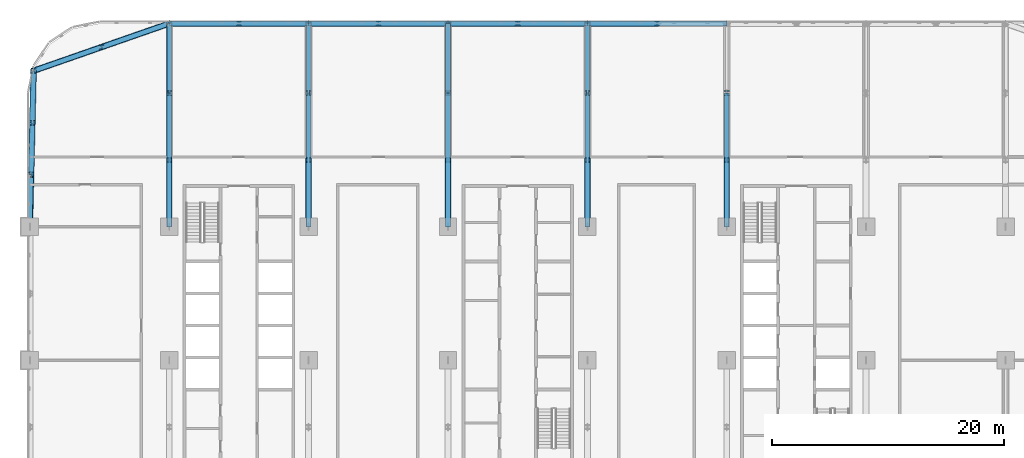
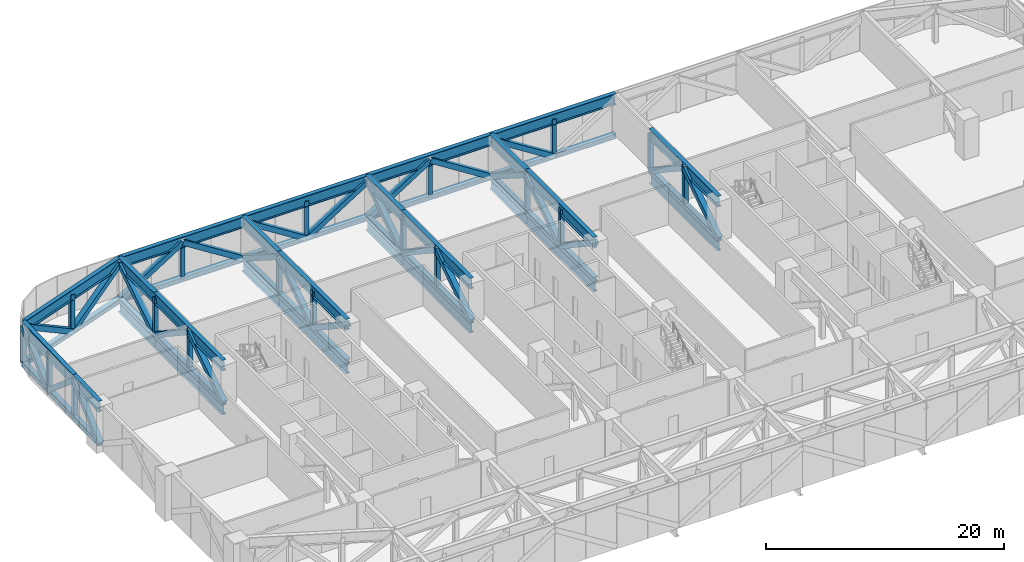
# One storey, part 6 of 26: 77 members, 9 beams.
"""IFC4 building model written with IfcOpenShell, lengths in metres."""

from ifc_helpers import new_model, si_unit, direction, frame, origin, origin_2d, place, context, subcontext, project, spatial, hollow_rectangle, i_section, extrude, material, material_profile, profile_set, type_object, element, save


model = new_model("IFC4")

# Units and contexts
model_context = context("Model", 3, precision=1e-05, world=origin(), true_north=direction((0.0, 1.0)))
body_context = subcontext(model_context, "Body", "Model", "MODEL_VIEW")
ifc_project = project(units=[si_unit("LENGTHUNIT", "METRE"), si_unit("AREAUNIT", "SQUARE_METRE"), si_unit("VOLUMEUNIT", "CUBIC_METRE"), si_unit("PLANEANGLEUNIT", "RADIAN"), si_unit("MASSUNIT", "GRAM", prefix="KILO")], contexts=[model_context])

# Site, building, storey
site_placement = place(None, origin())
site = spatial("IfcSite", under=ifc_project, at=site_placement, CompositionType="ELEMENT")
building_placement = place(site_placement, origin())
building = spatial("IfcBuilding", under=site, at=building_placement, Name="Mahtab Terrace Research Tower", CompositionType="ELEMENT")
storey_placement = place(building_placement, frame((0.0, 0.0, 80.39990234375)))
storey = spatial("IfcBuildingStorey", under=building, at=storey_placement, Name="L18", CompositionType="ELEMENT", Elevation=80.39990234375)

# Members
ifc_material_1 = material(Name="Steel ASTM A500 Gr C", Category="steel")
ifc_material_profile_1 = material_profile(ifc_material_1, hollow_rectangle(XDim=0.508056640625, YDim=0.508056640625, WallThickness=0.01904296875, at=origin_2d()), Name="HSS20X20X3/4")
ifc_profile_set_1 = profile_set([ifc_material_profile_1], Name="Steel ASTM A500 Gr C")
member_type_1 = type_object("IfcMemberType", Name="HSS 20x20x3/4 brace TD202034", PredefinedType="BRACE", material=ifc_profile_set_1)
member_1_placement = place(storey_placement, frame((-42.0, 11.5, -0.29345703125), z_axis=(0.018053445129, 0.76265406222, 0.646554602874), x_axis=(-0.999719939064, 0.023665236912, 0.0)))
element("IfcMember", 1, at=member_1_placement, inside=storey, type_object=member_type_1, Name="Transfer truss T2 diagonal 006", PredefinedType="BRACE", context=body_context, shape_type="SweptSolid", body=[
    extrude(hollow_rectangle(XDim=0.508056640625, YDim=0.508056640625, WallThickness=0.01904296875, at=origin_2d()), origin(), (0.0, 0.0, 1.0), 5.869140625),
])
member_2_placement = place(storey_placement, frame((-41.7880859375, 20.450927734375, -0.29345703125), z_axis=(-0.018056309124, -0.762567027489, 0.646657172146), x_axis=(0.999719786311, -0.023671688977, 0.0)))
element("IfcMember", 2, at=member_2_placement, inside=storey, type_object=member_type_1, Name="Transfer truss T2 diagonal 007", PredefinedType="BRACE", context=body_context, shape_type="SweptSolid", body=[
    extrude(hollow_rectangle(XDim=0.508056640625, YDim=0.508056640625, WallThickness=0.01904296875, at=origin_2d()), origin(), (0.0, 0.0, 1.0), 5.8681640625),
])
member_3_placement = place(storey_placement, frame((-41.7880859375, 20.450927734375, -0.29345703125), z_axis=(0.018095029325, 0.762653488821, 0.646554116763), x_axis=(-0.999718647519, 0.023719734464, 0.0)))
element("IfcMember", 3, at=member_3_placement, inside=storey, type_object=member_type_1, Name="Transfer truss T2 diagonal 008", PredefinedType="BRACE", context=body_context, shape_type="SweptSolid", body=[
    extrude(hollow_rectangle(XDim=0.508056640625, YDim=0.508056640625, WallThickness=0.01904296875, at=origin_2d()), origin(), (0.0, 0.0, 1.0), 5.869140625),
])
member_4_placement = place(storey_placement, frame((-35.841064453125, 26.962890625, -0.29345703125), z_axis=(-0.804887258521, -0.280553203846, 0.522921027386), x_axis=(0.329140559735, -0.944280939094, 0.0)))
element("IfcMember", 4, at=member_4_placement, inside=storey, type_object=member_type_1, Name="Transfer truss T2 diagonal 011", PredefinedType="BRACE", context=body_context, shape_type="SweptSolid", body=[
    extrude(hollow_rectangle(XDim=0.508056640625, YDim=0.508056640625, WallThickness=0.01904296875, at=origin_2d()), origin(), (0.0, 0.0, 1.0), 7.256591796875),
])
for number, where, z_axis, x_axis, name in (
    (5, (-30.0, 11.5, -0.29345703125), (0.0, 0.834630911502, 0.550809623704), (-1.0, 0.0, 0.0), "Transfer truss T2 diagonal 023"),
    (6, (-30.0, 23.0, -0.29345703125), (0.0, -0.834630911502, 0.550809623704), (1.0, 0.0, 0.0), "Transfer truss T2 diagonal 024"),
):
    element("IfcMember", number, at=place(storey_placement, frame(where, z_axis=z_axis, x_axis=x_axis)), inside=storey, type_object=member_type_1, Name=name, PredefinedType="BRACE", context=body_context, shape_type="SweptSolid", body=[
        extrude(hollow_rectangle(XDim=0.508056640625, YDim=0.508056640625, WallThickness=0.01904296875, at=origin_2d()), origin(), (0.0, 0.0, 1.0), 6.88916015625),
    ])
member_5_placement = place(storey_placement, frame((-30.0, 23.0, -0.29345703125), z_axis=(0.0, 0.845157783708, 0.534516903978), x_axis=(-1.0, 0.0, 0.0)))
element("IfcMember", 7, at=member_5_placement, inside=storey, type_object=member_type_1, Name="Transfer truss T2 diagonal 025", PredefinedType="BRACE", context=body_context, shape_type="SweptSolid", body=[
    extrude(hollow_rectangle(XDim=0.508056640625, YDim=0.508056640625, WallThickness=0.01904296875, at=origin_2d()), origin(), (0.0, 0.0, 1.0), 7.099365234375),
])
member_6_placement = place(storey_placement, frame((-35.841064453125, 26.962890625, -0.29345703125), z_axis=(0.804861112796, 0.280700569495, 0.522882185003), x_axis=(-0.329304241229, 0.944223870016, 0.0)))
element("IfcMember", 8, at=member_6_placement, inside=storey, type_object=member_type_1, Name="Transfer truss T2 diagonal 026", PredefinedType="BRACE", context=body_context, shape_type="SweptSolid", body=[
    extrude(hollow_rectangle(XDim=0.508056640625, YDim=0.508056640625, WallThickness=0.01904296875, at=origin_2d()), origin(), (0.0, 0.0, 1.0), 7.25732421875),
])
member_7_placement = place(storey_placement, frame((-30.0, 29.0, -0.29345703125), z_axis=(0.845157783708, 0.0, 0.534516903978), x_axis=(0.0, 1.0, 0.0)))
element("IfcMember", 9, at=member_7_placement, inside=storey, type_object=member_type_1, Name="Transfer truss T2 diagonal 030", PredefinedType="BRACE", context=body_context, shape_type="SweptSolid", body=[
    extrude(hollow_rectangle(XDim=0.508056640625, YDim=0.508056640625, WallThickness=0.01904296875, at=origin_2d()), origin(), (0.0, 0.0, 1.0), 7.099365234375),
])
for number, where, z_axis, x_axis, name in (
    (10, (-18.0, 17.25, -0.29345703125), (0.0, -0.834630911502, 0.550809623704), (1.0, 0.0, 0.0), "Transfer truss T2 diagonal 040"),
    (11, (-18.0, 17.25, -0.29345703125), (0.0, 0.834630911502, 0.550809623704), (-1.0, 0.0, 0.0), "Transfer truss T2 diagonal 041"),
):
    element("IfcMember", number, at=place(storey_placement, frame(where, z_axis=z_axis, x_axis=x_axis)), inside=storey, type_object=member_type_1, Name=name, PredefinedType="BRACE", context=body_context, shape_type="SweptSolid", body=[
        extrude(hollow_rectangle(XDim=0.508056640625, YDim=0.508056640625, WallThickness=0.01904296875, at=origin_2d()), origin(), (0.0, 0.0, 1.0), 6.88916015625),
    ])
for number, where, z_axis, x_axis, name in (
    (12, (-18.0, 29.0, -0.29345703125), (0.0, -0.845157783708, 0.534516903978), (1.0, 0.0, 0.0), "Transfer truss T2 diagonal 042"),
    (13, (-18.0, 29.0, -0.29345703125), (-0.845157783708, 0.0, 0.534516903978), (0.0, -1.0, 0.0), "Transfer truss T2 diagonal 043"),
    (14, (-12.0, 29.0, -0.29345703125), (-0.845157783708, 0.0, 0.534516903978), (0.0, -1.0, 0.0), "Transfer truss T2 diagonal 047"),
):
    element("IfcMember", number, at=place(storey_placement, frame(where, z_axis=z_axis, x_axis=x_axis)), inside=storey, type_object=member_type_1, Name=name, PredefinedType="BRACE", context=body_context, shape_type="SweptSolid", body=[
        extrude(hollow_rectangle(XDim=0.508056640625, YDim=0.508056640625, WallThickness=0.01904296875, at=origin_2d()), origin(), (0.0, 0.0, 1.0), 7.099365234375),
    ])
for number, where, z_axis, x_axis, name in (
    (15, (-6.0, 11.5, -0.29345703125), (0.0, 0.834630911502, 0.550809623704), (-1.0, 0.0, 0.0), "Transfer truss T2 diagonal 057"),
    (16, (-6.0, 23.0, -0.29345703125), (0.0, -0.834630911502, 0.550809623704), (1.0, 0.0, 0.0), "Transfer truss T2 diagonal 058"),
):
    element("IfcMember", number, at=place(storey_placement, frame(where, z_axis=z_axis, x_axis=x_axis)), inside=storey, type_object=member_type_1, Name=name, PredefinedType="BRACE", context=body_context, shape_type="SweptSolid", body=[
        extrude(hollow_rectangle(XDim=0.508056640625, YDim=0.508056640625, WallThickness=0.01904296875, at=origin_2d()), origin(), (0.0, 0.0, 1.0), 6.88916015625),
    ])
for number, where, z_axis, x_axis, name in (
    (17, (-6.0, 23.0, -0.29345703125), (0.0, 0.845157783708, 0.534516903978), (-1.0, 0.0, 0.0), "Transfer truss T2 diagonal 059"),
    (18, (-12.0, 29.0, -0.29345703125), (0.845157783708, 0.0, 0.534516903978), (0.0, 1.0, 0.0), "Transfer truss T2 diagonal 060"),
    (19, (-6.0, 29.0, -0.29345703125), (0.845157783708, 0.0, 0.534516903978), (0.0, 1.0, 0.0), "Transfer truss T2 diagonal 064"),
):
    element("IfcMember", number, at=place(storey_placement, frame(where, z_axis=z_axis, x_axis=x_axis)), inside=storey, type_object=member_type_1, Name=name, PredefinedType="BRACE", context=body_context, shape_type="SweptSolid", body=[
        extrude(hollow_rectangle(XDim=0.508056640625, YDim=0.508056640625, WallThickness=0.01904296875, at=origin_2d()), origin(), (0.0, 0.0, 1.0), 7.099365234375),
    ])
for number, where, z_axis, x_axis, name in (
    (20, (6.0, 17.25, -0.29345703125), (0.0, -0.834630911502, 0.550809623704), (1.0, 0.0, 0.0), "Transfer truss T2 diagonal 074"),
    (21, (6.0, 17.25, -0.29345703125), (0.0, 0.834630911502, 0.550809623704), (-1.0, 0.0, 0.0), "Transfer truss T2 diagonal 075"),
):
    element("IfcMember", number, at=place(storey_placement, frame(where, z_axis=z_axis, x_axis=x_axis)), inside=storey, type_object=member_type_1, Name=name, PredefinedType="BRACE", context=body_context, shape_type="SweptSolid", body=[
        extrude(hollow_rectangle(XDim=0.508056640625, YDim=0.508056640625, WallThickness=0.01904296875, at=origin_2d()), origin(), (0.0, 0.0, 1.0), 6.88916015625),
    ])
for number, where, z_axis, x_axis, name in (
    (22, (6.0, 29.0, -0.29345703125), (0.0, -0.845157783708, 0.534516903978), (1.0, 0.0, 0.0), "Transfer truss T2 diagonal 076"),
    (23, (6.0, 29.0, -0.29345703125), (-0.845157783708, 0.0, 0.534516903978), (0.0, -1.0, 0.0), "Transfer truss T2 diagonal 077"),
    (24, (12.0, 29.0, -0.29345703125), (-0.845157783708, 0.0, 0.534516903978), (0.0, -1.0, 0.0), "Transfer truss T2 diagonal 081"),
):
    element("IfcMember", number, at=place(storey_placement, frame(where, z_axis=z_axis, x_axis=x_axis)), inside=storey, type_object=member_type_1, Name=name, PredefinedType="BRACE", context=body_context, shape_type="SweptSolid", body=[
        extrude(hollow_rectangle(XDim=0.508056640625, YDim=0.508056640625, WallThickness=0.01904296875, at=origin_2d()), origin(), (0.0, 0.0, 1.0), 7.099365234375),
    ])
for number, where, z_axis, x_axis, name in (
    (25, (18.0, 11.5, -0.29345703125), (0.0, 0.834630911502, 0.550809623704), (-1.0, 0.0, 0.0), "Transfer truss T2 diagonal 091"),
    (26, (18.0, 23.0, -0.29345703125), (0.0, -0.834630911502, 0.550809623704), (1.0, 0.0, 0.0), "Transfer truss T2 diagonal 092"),
):
    element("IfcMember", number, at=place(storey_placement, frame(where, z_axis=z_axis, x_axis=x_axis)), inside=storey, type_object=member_type_1, Name=name, PredefinedType="BRACE", context=body_context, shape_type="SweptSolid", body=[
        extrude(hollow_rectangle(XDim=0.508056640625, YDim=0.508056640625, WallThickness=0.01904296875, at=origin_2d()), origin(), (0.0, 0.0, 1.0), 6.88916015625),
    ])
ifc_material_2 = material(Name="Steel ASTM A992 Gr 50", Category="steel")
ifc_material_profile_2 = material_profile(ifc_material_2, i_section(OverallWidth=0.398681640625, OverallDepth=0.393798828125, WebThickness=0.022705078125, FlangeThickness=0.03662109375, at=origin_2d()), Name="W14X193")
ifc_profile_set_2 = profile_set([ifc_material_profile_2], Name="Steel ASTM A992 Gr 50")
member_type_2 = type_object("IfcMemberType", Name="W14x193 post TP14193", PredefinedType="POST", material=ifc_profile_set_2)
for number, where, z_axis, x_axis, name in (
    (27, (-41.889892578125, 15.97998046875, -0.29345703125), (0.0, 0.0, 1.0), (1.0, 0.0, 0.0), "Transfer truss T2 post 006"),
    (28, (-41.7900390625, 20.449951171875, -0.29345703125), (0.0, 0.0, 1.0), (1.0, 0.0, 0.0), "Transfer truss T2 post 007"),
    (29, (-41.679931640625, 24.929931640625, -0.29345703125), (0.0, 0.0, 1.0), (1.0, 0.0, 0.0), "Transfer truss T2 post 008"),
    (30, (-35.840087890625, 26.9599609375, -0.29345703125), (0.0, 0.0, 1.0), (1.0, 0.0, 0.0), "Transfer truss T2 post 011"),
    (31, (-30.0, 17.25, -0.29345703125), (0.0, 0.0, 1.0), (1.0, 0.0, 0.0), "Transfer truss T2 post 022"),
    (32, (-30.0, 23.0, -0.29345703125), (0.0, 0.0, 1.0), (1.0, 0.0, 0.0), "Transfer truss T2 post 023"),
    (33, (-24.0, 29.0, -0.29345703125), (0.0, 0.0, 1.0), (1.0, 0.0, 0.0), "Transfer truss T2 post 028"),
    (34, (-18.0, 17.25, -0.29345703125), (0.0, 0.0, 1.0), (1.0, 0.0, 0.0), "Transfer truss T2 post 037"),
    (35, (-18.0, 23.0, -0.29345703125), (0.0, 0.0, 1.0), (1.0, 0.0, 0.0), "Transfer truss T2 post 038"),
    (36, (-12.0, 29.0, -0.29345703125), (0.0, 0.0, 1.0), (1.0, 0.0, 0.0), "Transfer truss T2 post 043"),
    (37, (-6.0, 17.25, -0.29345703125), (0.0, 0.0, 1.0), (1.0, 0.0, 0.0), "Transfer truss T2 post 052"),
    (38, (-6.0, 23.0, -0.29345703125), (0.0, 0.0, 1.0), (1.0, 0.0, 0.0), "Transfer truss T2 post 053"),
    (39, (0.0, 29.0, -0.29345703125), (0.0, 0.0, 1.0), (1.0, 0.0, 0.0), "Transfer truss T2 post 058"),
    (40, (6.0, 17.25, -0.29345703125), (0.0, 0.0, 1.0), (1.0, 0.0, 0.0), "Transfer truss T2 post 067"),
    (41, (6.0, 23.0, -0.29345703125), (0.0, 0.0, 1.0), (1.0, 0.0, 0.0), "Transfer truss T2 post 068"),
    (42, (12.0, 29.0, -0.29345703125), (0.0, 0.0, 1.0), (1.0, 0.0, 0.0), "Transfer truss T2 post 073"),
    (43, (18.0, 17.25, -0.29345703125), (0.0, 0.0, 1.0), (1.0, 0.0, 0.0), "Transfer truss T2 post 082"),
    (44, (18.0, 23.0, -0.29345703125), (0.0, 0.0, 1.0), (1.0, 0.0, 0.0), "Transfer truss T2 post 083"),
):
    element("IfcMember", number, at=place(storey_placement, frame(where, z_axis=z_axis, x_axis=x_axis)), inside=storey, type_object=member_type_2, Name=name, PredefinedType="POST", context=body_context, shape_type="SweptSolid", body=[
        extrude(i_section(OverallWidth=0.398681640625, OverallDepth=0.393798828125, WebThickness=0.022705078125, FlangeThickness=0.03662109375, at=origin_2d()), origin(), (0.0, 0.0, 1.0), 3.794677734375),
    ])
ifc_material_profile_3 = material_profile(ifc_material_2, i_section(OverallWidth=0.43701171875, OverallDepth=0.51318359375, WebThickness=0.060546875, FlangeThickness=0.096923828125, at=origin_2d()), Name="W14X550")
ifc_profile_set_3 = profile_set([ifc_material_profile_3], Name="Steel ASTM A992 Gr 50")
member_type_3 = type_object("IfcMemberType", Name="W14x550 chord TC14550", PredefinedType="CHORD", material=ifc_profile_set_3)
member_8_placement = place(storey_placement, frame((-41.681884765625, 24.927001953125, -0.29345703125), z_axis=(-0.023695715017, -0.999719217125, 0.0), x_axis=(0.999719217125, -0.023695715017, 0.0)))
element("IfcMember", 45, at=member_8_placement, inside=storey, type_object=member_type_3, Name="Transfer truss T2 bottom chord 003", PredefinedType="CHORD", context=body_context, shape_type="SweptSolid", body=[
    extrude(i_section(OverallWidth=0.43701171875, OverallDepth=0.51318359375, WebThickness=0.060546875, FlangeThickness=0.096923828125, at=origin_2d()), origin(), (0.0, 0.0, 1.0), 8.953369140625),
])
member_9_placement = place(storey_placement, frame((-41.89404296875, 15.97607421875, -0.29345703125), z_axis=(-0.023665236912, -0.999719939064, 0.0), x_axis=(0.999719939064, -0.023665236912, 0.0)))
element("IfcMember", 46, at=member_9_placement, inside=storey, type_object=member_type_3, Name="Transfer truss T2 bottom chord 004", PredefinedType="CHORD", context=body_context, shape_type="SweptSolid", body=[
    extrude(i_section(OverallWidth=0.43701171875, OverallDepth=0.51318359375, WebThickness=0.060546875, FlangeThickness=0.096923828125, at=origin_2d()), origin(), (0.0, 0.0, 1.0), 4.477294921875),
])
member_10_placement = place(storey_placement, frame((-30.0, 29.0, -0.29345703125), z_axis=(-0.944223870016, -0.329304241229, 0.0), x_axis=(0.329304241229, -0.944223870016, 0.0)))
element("IfcMember", 47, at=member_10_placement, inside=storey, type_object=member_type_3, Name="Transfer truss T2 bottom chord 007", PredefinedType="CHORD", context=body_context, shape_type="SweptSolid", body=[
    extrude(i_section(OverallWidth=0.43701171875, OverallDepth=0.51318359375, WebThickness=0.060546875, FlangeThickness=0.096923828125, at=origin_2d()), origin(), (0.0, 0.0, 1.0), 6.18603515625),
])
member_11_placement = place(storey_placement, frame((-35.841064453125, 26.962890625, -0.29345703125), z_axis=(-0.944280939094, -0.329140559735, 0.0), x_axis=(0.329140559735, -0.944280939094, 0.0)))
element("IfcMember", 48, at=member_11_placement, inside=storey, type_object=member_type_3, Name="Transfer truss T2 bottom chord 008", PredefinedType="CHORD", context=body_context, shape_type="SweptSolid", body=[
    extrude(i_section(OverallWidth=0.43701171875, OverallDepth=0.51318359375, WebThickness=0.060546875, FlangeThickness=0.096923828125, at=origin_2d()), origin(), (0.0, 0.0, 1.0), 6.185546875),
])
member_12_placement = place(storey_placement, frame((-30.0, 11.5, -0.29345703125), z_axis=(0.0, 1.0, 0.0), x_axis=(-1.0, 0.0, 0.0)))
element("IfcMember", 49, at=member_12_placement, inside=storey, type_object=member_type_3, Name="Transfer truss T2 bottom chord 033", PredefinedType="CHORD", context=body_context, shape_type="SweptSolid", body=[
    extrude(i_section(OverallWidth=0.43701171875, OverallDepth=0.51318359375, WebThickness=0.060546875, FlangeThickness=0.096923828125, at=origin_2d()), origin(), (0.0, 0.0, 1.0), 11.5),
])
member_13_placement = place(storey_placement, frame((-30.0, 23.0, -0.29345703125), z_axis=(0.0, 1.0, 0.0), x_axis=(-1.0, 0.0, 0.0)))
element("IfcMember", 50, at=member_13_placement, inside=storey, type_object=member_type_3, Name="Transfer truss T2 bottom chord 034", PredefinedType="CHORD", context=body_context, shape_type="SweptSolid", body=[
    extrude(i_section(OverallWidth=0.43701171875, OverallDepth=0.51318359375, WebThickness=0.060546875, FlangeThickness=0.096923828125, at=origin_2d()), origin(), (0.0, 0.0, 1.0), 6.0),
])
for number, where, z_axis, x_axis, name in (
    (51, (18.0, 29.0, -0.29345703125), (-1.0, 0.0, 0.0), (0.0, -1.0, 0.0), "Transfer truss T2 bottom chord 037"),
    (52, (6.0, 29.0, -0.29345703125), (-1.0, 0.0, 0.0), (0.0, -1.0, 0.0), "Transfer truss T2 bottom chord 038"),
    (53, (-6.0, 29.0, -0.29345703125), (-1.0, 0.0, 0.0), (0.0, -1.0, 0.0), "Transfer truss T2 bottom chord 039"),
    (54, (-18.0, 29.0, -0.29345703125), (-1.0, 0.0, 0.0), (0.0, -1.0, 0.0), "Transfer truss T2 bottom chord 040"),
):
    element("IfcMember", number, at=place(storey_placement, frame(where, z_axis=z_axis, x_axis=x_axis)), inside=storey, type_object=member_type_3, Name=name, PredefinedType="CHORD", context=body_context, shape_type="SweptSolid", body=[
        extrude(i_section(OverallWidth=0.43701171875, OverallDepth=0.51318359375, WebThickness=0.060546875, FlangeThickness=0.096923828125, at=origin_2d()), origin(), (0.0, 0.0, 1.0), 12.0),
    ])
member_14_placement = place(storey_placement, frame((-18.0, 11.5, -0.29345703125), z_axis=(0.0, 1.0, 0.0), x_axis=(-1.0, 0.0, 0.0)))
element("IfcMember", 55, at=member_14_placement, inside=storey, type_object=member_type_3, Name="Transfer truss T2 bottom chord 044", PredefinedType="CHORD", context=body_context, shape_type="SweptSolid", body=[
    extrude(i_section(OverallWidth=0.43701171875, OverallDepth=0.51318359375, WebThickness=0.060546875, FlangeThickness=0.096923828125, at=origin_2d()), origin(), (0.0, 0.0, 1.0), 11.5),
])
member_15_placement = place(storey_placement, frame((-18.0, 23.0, -0.29345703125), z_axis=(0.0, 1.0, 0.0), x_axis=(-1.0, 0.0, 0.0)))
element("IfcMember", 56, at=member_15_placement, inside=storey, type_object=member_type_3, Name="Transfer truss T2 bottom chord 045", PredefinedType="CHORD", context=body_context, shape_type="SweptSolid", body=[
    extrude(i_section(OverallWidth=0.43701171875, OverallDepth=0.51318359375, WebThickness=0.060546875, FlangeThickness=0.096923828125, at=origin_2d()), origin(), (0.0, 0.0, 1.0), 6.0),
])
member_16_placement = place(storey_placement, frame((-6.0, 11.5, -0.29345703125), z_axis=(0.0, 1.0, 0.0), x_axis=(-1.0, 0.0, 0.0)))
element("IfcMember", 57, at=member_16_placement, inside=storey, type_object=member_type_3, Name="Transfer truss T2 bottom chord 049", PredefinedType="CHORD", context=body_context, shape_type="SweptSolid", body=[
    extrude(i_section(OverallWidth=0.43701171875, OverallDepth=0.51318359375, WebThickness=0.060546875, FlangeThickness=0.096923828125, at=origin_2d()), origin(), (0.0, 0.0, 1.0), 11.5),
])
member_17_placement = place(storey_placement, frame((-6.0, 23.0, -0.29345703125), z_axis=(0.0, 1.0, 0.0), x_axis=(-1.0, 0.0, 0.0)))
element("IfcMember", 58, at=member_17_placement, inside=storey, type_object=member_type_3, Name="Transfer truss T2 bottom chord 050", PredefinedType="CHORD", context=body_context, shape_type="SweptSolid", body=[
    extrude(i_section(OverallWidth=0.43701171875, OverallDepth=0.51318359375, WebThickness=0.060546875, FlangeThickness=0.096923828125, at=origin_2d()), origin(), (0.0, 0.0, 1.0), 6.0),
])
member_18_placement = place(storey_placement, frame((6.0, 11.5, -0.29345703125), z_axis=(0.0, 1.0, 0.0), x_axis=(-1.0, 0.0, 0.0)))
element("IfcMember", 59, at=member_18_placement, inside=storey, type_object=member_type_3, Name="Transfer truss T2 bottom chord 054", PredefinedType="CHORD", context=body_context, shape_type="SweptSolid", body=[
    extrude(i_section(OverallWidth=0.43701171875, OverallDepth=0.51318359375, WebThickness=0.060546875, FlangeThickness=0.096923828125, at=origin_2d()), origin(), (0.0, 0.0, 1.0), 11.5),
])
member_19_placement = place(storey_placement, frame((6.0, 23.0, -0.29345703125), z_axis=(0.0, 1.0, 0.0), x_axis=(-1.0, 0.0, 0.0)))
element("IfcMember", 60, at=member_19_placement, inside=storey, type_object=member_type_3, Name="Transfer truss T2 bottom chord 055", PredefinedType="CHORD", context=body_context, shape_type="SweptSolid", body=[
    extrude(i_section(OverallWidth=0.43701171875, OverallDepth=0.51318359375, WebThickness=0.060546875, FlangeThickness=0.096923828125, at=origin_2d()), origin(), (0.0, 0.0, 1.0), 6.0),
])
member_20_placement = place(storey_placement, frame((18.0, 11.5, -0.29345703125), z_axis=(0.0, 1.0, 0.0), x_axis=(-1.0, 0.0, 0.0)))
element("IfcMember", 61, at=member_20_placement, inside=storey, type_object=member_type_3, Name="Transfer truss T2 bottom chord 059", PredefinedType="CHORD", context=body_context, shape_type="SweptSolid", body=[
    extrude(i_section(OverallWidth=0.43701171875, OverallDepth=0.51318359375, WebThickness=0.060546875, FlangeThickness=0.096923828125, at=origin_2d()), origin(), (0.0, 0.0, 1.0), 11.5),
])

# Beams
ifc_material_profile_4 = material_profile(ifc_material_2, i_section(OverallWidth=0.4013671875, OverallDepth=1.000732421875, WebThickness=0.01904296875, FlangeThickness=0.0361328125, at=origin_2d()), Name="W40X249")
ifc_profile_set_4 = profile_set([ifc_material_profile_4], Name="Steel ASTM A992 Gr 50")
beam_type = type_object("IfcBeamType", Name="W40x249 transfer girder TG40249", PredefinedType="BEAM", material=ifc_profile_set_4)
for number, where, z_axis, x_axis, name in (
    (62, (18.0, 11.5, -1.04833984375), (0.0, 1.0, 0.0), (-1.0, 0.0, 0.0), "Transfer girder T2 05"),
    (63, (6.0, 11.5, -1.04833984375), (0.0, 1.0, 0.0), (-1.0, 0.0, 0.0), "Transfer girder T2 07"),
):
    element("IfcBeam", number, at=place(storey_placement, frame(where, z_axis=z_axis, x_axis=x_axis)), inside=storey, type_object=beam_type, Name=name, PredefinedType="BEAM", context=body_context, shape_type="SweptSolid", body=[
        extrude(i_section(OverallWidth=0.4013671875, OverallDepth=1.000732421875, WebThickness=0.01904296875, FlangeThickness=0.0361328125, at=origin_2d()), origin(), (0.0, 0.0, 1.0), 11.5),
    ])
beam_1_placement = place(storey_placement, frame((6.0, 23.0, -1.04833984375), z_axis=(0.0, 1.0, 0.0), x_axis=(-1.0, 0.0, 0.0)))
element("IfcBeam", 64, at=beam_1_placement, inside=storey, type_object=beam_type, Name="Transfer girder T2 08", PredefinedType="BEAM", context=body_context, shape_type="SweptSolid", body=[
    extrude(i_section(OverallWidth=0.4013671875, OverallDepth=1.000732421875, WebThickness=0.01904296875, FlangeThickness=0.0361328125, at=origin_2d()), origin(), (0.0, 0.0, 1.0), 6.0),
])
beam_2_placement = place(storey_placement, frame((-6.0, 11.5, -1.04833984375), z_axis=(0.0, 1.0, 0.0), x_axis=(-1.0, 0.0, 0.0)))
element("IfcBeam", 65, at=beam_2_placement, inside=storey, type_object=beam_type, Name="Transfer girder T2 09", PredefinedType="BEAM", context=body_context, shape_type="SweptSolid", body=[
    extrude(i_section(OverallWidth=0.4013671875, OverallDepth=1.000732421875, WebThickness=0.01904296875, FlangeThickness=0.0361328125, at=origin_2d()), origin(), (0.0, 0.0, 1.0), 11.5),
])
beam_3_placement = place(storey_placement, frame((-6.0, 23.0, -1.04833984375), z_axis=(0.0, 1.0, 0.0), x_axis=(-1.0, 0.0, 0.0)))
element("IfcBeam", 66, at=beam_3_placement, inside=storey, type_object=beam_type, Name="Transfer girder T2 10", PredefinedType="BEAM", context=body_context, shape_type="SweptSolid", body=[
    extrude(i_section(OverallWidth=0.4013671875, OverallDepth=1.000732421875, WebThickness=0.01904296875, FlangeThickness=0.0361328125, at=origin_2d()), origin(), (0.0, 0.0, 1.0), 6.0),
])
beam_4_placement = place(storey_placement, frame((-18.0, 11.5, -1.04833984375), z_axis=(0.0, 1.0, 0.0), x_axis=(-1.0, 0.0, 0.0)))
element("IfcBeam", 67, at=beam_4_placement, inside=storey, type_object=beam_type, Name="Transfer girder T2 11", PredefinedType="BEAM", context=body_context, shape_type="SweptSolid", body=[
    extrude(i_section(OverallWidth=0.4013671875, OverallDepth=1.000732421875, WebThickness=0.01904296875, FlangeThickness=0.0361328125, at=origin_2d()), origin(), (0.0, 0.0, 1.0), 11.5),
])
beam_5_placement = place(storey_placement, frame((-18.0, 23.0, -1.04833984375), z_axis=(0.0, 1.0, 0.0), x_axis=(-1.0, 0.0, 0.0)))
element("IfcBeam", 68, at=beam_5_placement, inside=storey, type_object=beam_type, Name="Transfer girder T2 12", PredefinedType="BEAM", context=body_context, shape_type="SweptSolid", body=[
    extrude(i_section(OverallWidth=0.4013671875, OverallDepth=1.000732421875, WebThickness=0.01904296875, FlangeThickness=0.0361328125, at=origin_2d()), origin(), (0.0, 0.0, 1.0), 6.0),
])
beam_6_placement = place(storey_placement, frame((-30.0, 11.5, -1.04833984375), z_axis=(0.0, 1.0, 0.0), x_axis=(-1.0, 0.0, 0.0)))
element("IfcBeam", 69, at=beam_6_placement, inside=storey, type_object=beam_type, Name="Transfer girder T2 13", PredefinedType="BEAM", context=body_context, shape_type="SweptSolid", body=[
    extrude(i_section(OverallWidth=0.4013671875, OverallDepth=1.000732421875, WebThickness=0.01904296875, FlangeThickness=0.0361328125, at=origin_2d()), origin(), (0.0, 0.0, 1.0), 11.5),
])
beam_7_placement = place(storey_placement, frame((-30.0, 23.0, -1.04833984375), z_axis=(0.0, 1.0, 0.0), x_axis=(-1.0, 0.0, 0.0)))
element("IfcBeam", 70, at=beam_7_placement, inside=storey, type_object=beam_type, Name="Transfer girder T2 14", PredefinedType="BEAM", context=body_context, shape_type="SweptSolid", body=[
    extrude(i_section(OverallWidth=0.4013671875, OverallDepth=1.000732421875, WebThickness=0.01904296875, FlangeThickness=0.0361328125, at=origin_2d()), origin(), (0.0, 0.0, 1.0), 6.0),
])

# Members
ifc_material_profile_5 = material_profile(ifc_material_2, i_section(OverallWidth=0.40380859375, OverallDepth=1.11767578125, WebThickness=0.026123046875, FlangeThickness=0.044921875, at=origin_2d()), Name="W44X335")
ifc_profile_set_5 = profile_set([ifc_material_profile_5], Name="Steel ASTM A992 Gr 50")
member_type_4 = type_object("IfcMemberType", Name="W44x335 chord TT44335", PredefinedType="CHORD", material=ifc_profile_set_5)
member_21_placement = place(storey_placement, frame((-41.681884765625, 24.927001953125, 3.501220703125), z_axis=(-0.023695715017, -0.999719217125, 0.0), x_axis=(0.999719217125, -0.023695715017, 0.0)))
element("IfcMember", 71, at=member_21_placement, inside=storey, type_object=member_type_4, Name="Transfer truss T2 top chord 003", PredefinedType="CHORD", context=body_context, shape_type="SweptSolid", body=[
    extrude(i_section(OverallWidth=0.40380859375, OverallDepth=1.11767578125, WebThickness=0.026123046875, FlangeThickness=0.044921875, at=origin_2d()), origin(), (0.0, 0.0, 1.0), 8.953369140625),
])
member_22_placement = place(storey_placement, frame((-41.89404296875, 15.97607421875, 3.501220703125), z_axis=(-0.023665236912, -0.999719939064, 0.0), x_axis=(0.999719939064, -0.023665236912, 0.0)))
element("IfcMember", 72, at=member_22_placement, inside=storey, type_object=member_type_4, Name="Transfer truss T2 top chord 004", PredefinedType="CHORD", context=body_context, shape_type="SweptSolid", body=[
    extrude(i_section(OverallWidth=0.40380859375, OverallDepth=1.11767578125, WebThickness=0.026123046875, FlangeThickness=0.044921875, at=origin_2d()), origin(), (0.0, 0.0, 1.0), 4.477294921875),
])
member_23_placement = place(storey_placement, frame((-30.0, 29.0, 3.501220703125), z_axis=(-0.944252406643, -0.329222405903, 0.0), x_axis=(0.329222405903, -0.944252406643, 0.0)))
element("IfcMember", 73, at=member_23_placement, inside=storey, type_object=member_type_4, Name="Transfer truss T2 top chord 007", PredefinedType="CHORD", context=body_context, shape_type="SweptSolid", body=[
    extrude(i_section(OverallWidth=0.40380859375, OverallDepth=1.11767578125, WebThickness=0.026123046875, FlangeThickness=0.044921875, at=origin_2d()), origin(), (0.0, 0.0, 1.0), 12.37158203125),
])
member_24_placement = place(storey_placement, frame((-30.0, 11.5, 3.501220703125), z_axis=(0.0, 1.0, 0.0), x_axis=(-1.0, 0.0, 0.0)))
element("IfcMember", 74, at=member_24_placement, inside=storey, type_object=member_type_4, Name="Transfer truss T2 top chord 032", PredefinedType="CHORD", context=body_context, shape_type="SweptSolid", body=[
    extrude(i_section(OverallWidth=0.40380859375, OverallDepth=1.11767578125, WebThickness=0.026123046875, FlangeThickness=0.044921875, at=origin_2d()), origin(), (0.0, 0.0, 1.0), 11.5),
])
member_25_placement = place(storey_placement, frame((-30.0, 23.0, 3.501220703125), z_axis=(0.0, 1.0, 0.0), x_axis=(-1.0, 0.0, 0.0)))
element("IfcMember", 75, at=member_25_placement, inside=storey, type_object=member_type_4, Name="Transfer truss T2 top chord 033", PredefinedType="CHORD", context=body_context, shape_type="SweptSolid", body=[
    extrude(i_section(OverallWidth=0.40380859375, OverallDepth=1.11767578125, WebThickness=0.026123046875, FlangeThickness=0.044921875, at=origin_2d()), origin(), (0.0, 0.0, 1.0), 6.0),
])
for number, where, z_axis, x_axis, name in (
    (76, (18.0, 29.0, 3.501220703125), (-1.0, 0.0, 0.0), (0.0, -1.0, 0.0), "Transfer truss T2 top chord 036"),
    (77, (6.0, 29.0, 3.501220703125), (-1.0, 0.0, 0.0), (0.0, -1.0, 0.0), "Transfer truss T2 top chord 037"),
    (78, (-6.0, 29.0, 3.501220703125), (-1.0, 0.0, 0.0), (0.0, -1.0, 0.0), "Transfer truss T2 top chord 038"),
    (79, (-18.0, 29.0, 3.501220703125), (-1.0, 0.0, 0.0), (0.0, -1.0, 0.0), "Transfer truss T2 top chord 039"),
):
    element("IfcMember", number, at=place(storey_placement, frame(where, z_axis=z_axis, x_axis=x_axis)), inside=storey, type_object=member_type_4, Name=name, PredefinedType="CHORD", context=body_context, shape_type="SweptSolid", body=[
        extrude(i_section(OverallWidth=0.40380859375, OverallDepth=1.11767578125, WebThickness=0.026123046875, FlangeThickness=0.044921875, at=origin_2d()), origin(), (0.0, 0.0, 1.0), 12.0),
    ])
member_26_placement = place(storey_placement, frame((-18.0, 11.5, 3.501220703125), z_axis=(0.0, 1.0, 0.0), x_axis=(-1.0, 0.0, 0.0)))
element("IfcMember", 80, at=member_26_placement, inside=storey, type_object=member_type_4, Name="Transfer truss T2 top chord 043", PredefinedType="CHORD", context=body_context, shape_type="SweptSolid", body=[
    extrude(i_section(OverallWidth=0.40380859375, OverallDepth=1.11767578125, WebThickness=0.026123046875, FlangeThickness=0.044921875, at=origin_2d()), origin(), (0.0, 0.0, 1.0), 11.5),
])
member_27_placement = place(storey_placement, frame((-18.0, 23.0, 3.501220703125), z_axis=(0.0, 1.0, 0.0), x_axis=(-1.0, 0.0, 0.0)))
element("IfcMember", 81, at=member_27_placement, inside=storey, type_object=member_type_4, Name="Transfer truss T2 top chord 044", PredefinedType="CHORD", context=body_context, shape_type="SweptSolid", body=[
    extrude(i_section(OverallWidth=0.40380859375, OverallDepth=1.11767578125, WebThickness=0.026123046875, FlangeThickness=0.044921875, at=origin_2d()), origin(), (0.0, 0.0, 1.0), 6.0),
])
member_28_placement = place(storey_placement, frame((-6.0, 11.5, 3.501220703125), z_axis=(0.0, 1.0, 0.0), x_axis=(-1.0, 0.0, 0.0)))
element("IfcMember", 82, at=member_28_placement, inside=storey, type_object=member_type_4, Name="Transfer truss T2 top chord 048", PredefinedType="CHORD", context=body_context, shape_type="SweptSolid", body=[
    extrude(i_section(OverallWidth=0.40380859375, OverallDepth=1.11767578125, WebThickness=0.026123046875, FlangeThickness=0.044921875, at=origin_2d()), origin(), (0.0, 0.0, 1.0), 11.5),
])
member_29_placement = place(storey_placement, frame((-6.0, 23.0, 3.501220703125), z_axis=(0.0, 1.0, 0.0), x_axis=(-1.0, 0.0, 0.0)))
element("IfcMember", 83, at=member_29_placement, inside=storey, type_object=member_type_4, Name="Transfer truss T2 top chord 049", PredefinedType="CHORD", context=body_context, shape_type="SweptSolid", body=[
    extrude(i_section(OverallWidth=0.40380859375, OverallDepth=1.11767578125, WebThickness=0.026123046875, FlangeThickness=0.044921875, at=origin_2d()), origin(), (0.0, 0.0, 1.0), 6.0),
])
member_30_placement = place(storey_placement, frame((6.0, 11.5, 3.501220703125), z_axis=(0.0, 1.0, 0.0), x_axis=(-1.0, 0.0, 0.0)))
element("IfcMember", 84, at=member_30_placement, inside=storey, type_object=member_type_4, Name="Transfer truss T2 top chord 053", PredefinedType="CHORD", context=body_context, shape_type="SweptSolid", body=[
    extrude(i_section(OverallWidth=0.40380859375, OverallDepth=1.11767578125, WebThickness=0.026123046875, FlangeThickness=0.044921875, at=origin_2d()), origin(), (0.0, 0.0, 1.0), 11.5),
])
member_31_placement = place(storey_placement, frame((6.0, 23.0, 3.501220703125), z_axis=(0.0, 1.0, 0.0), x_axis=(-1.0, 0.0, 0.0)))
element("IfcMember", 85, at=member_31_placement, inside=storey, type_object=member_type_4, Name="Transfer truss T2 top chord 054", PredefinedType="CHORD", context=body_context, shape_type="SweptSolid", body=[
    extrude(i_section(OverallWidth=0.40380859375, OverallDepth=1.11767578125, WebThickness=0.026123046875, FlangeThickness=0.044921875, at=origin_2d()), origin(), (0.0, 0.0, 1.0), 6.0),
])
member_32_placement = place(storey_placement, frame((18.0, 11.5, 3.501220703125), z_axis=(0.0, 1.0, 0.0), x_axis=(-1.0, 0.0, 0.0)))
element("IfcMember", 86, at=member_32_placement, inside=storey, type_object=member_type_4, Name="Transfer truss T2 top chord 058", PredefinedType="CHORD", context=body_context, shape_type="SweptSolid", body=[
    extrude(i_section(OverallWidth=0.40380859375, OverallDepth=1.11767578125, WebThickness=0.026123046875, FlangeThickness=0.044921875, at=origin_2d()), origin(), (0.0, 0.0, 1.0), 11.5),
])

save(model, "model.ifc")
